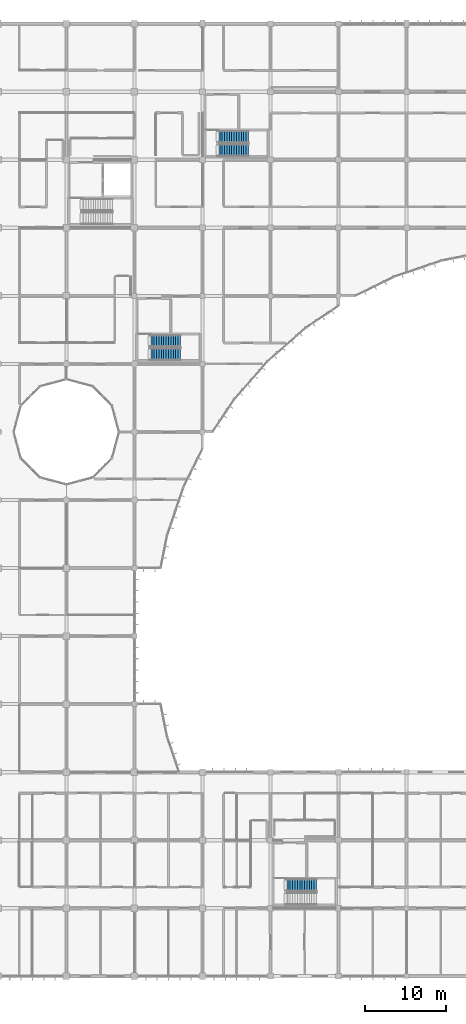
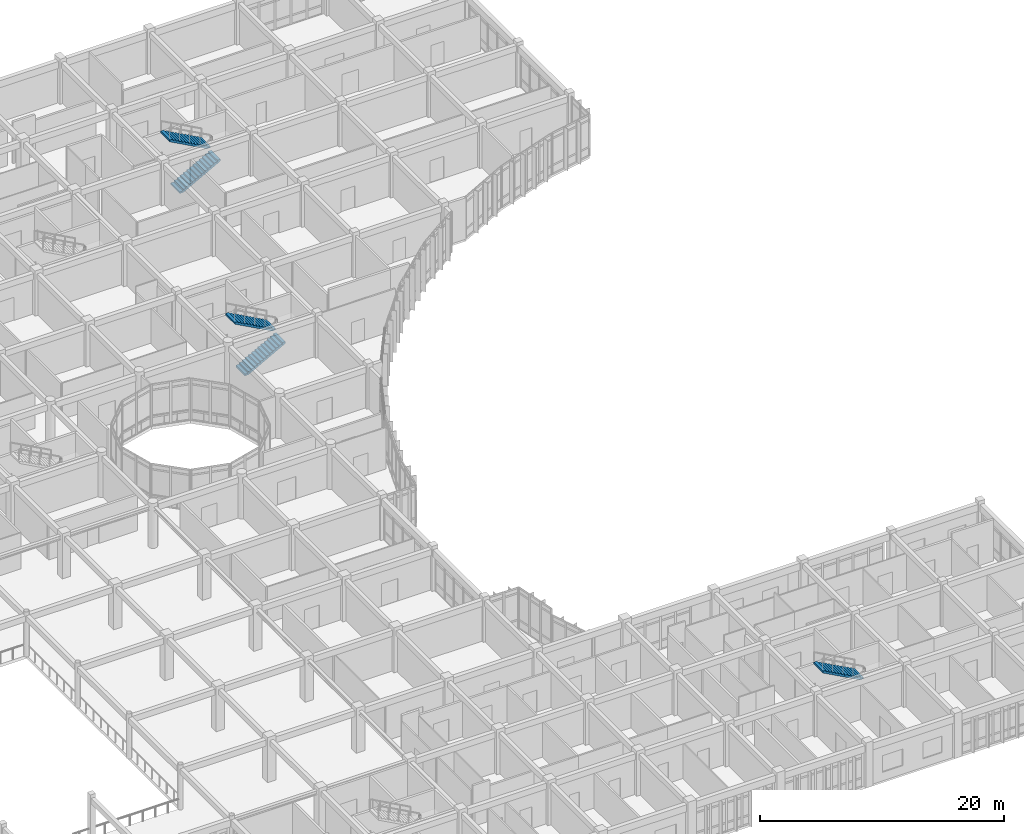
# One storey, part 123 of 144: 5 stair flights, 3 elements without a shape of their own.
"""IFC4 building model written with IfcOpenShell, lengths in metres."""

from ifc_helpers import new_model, si_unit, direction, frame, origin, place, context, subcontext, project, spatial, polyline, outline, extrude, material, type_object, element, aggregate, save


model = new_model("IFC4")

# Units and contexts
model_context = context("Model", 3, precision=1e-05, world=origin(), true_north=direction((0.0, 1.0)))
body_context = subcontext(model_context, "Body", "Model", "MODEL_VIEW")
ifc_project = project(units=[si_unit("LENGTHUNIT", "METRE"), si_unit("AREAUNIT", "SQUARE_METRE"), si_unit("VOLUMEUNIT", "CUBIC_METRE"), si_unit("PLANEANGLEUNIT", "RADIAN"), si_unit("MASSUNIT", "GRAM", prefix="KILO")], contexts=[model_context])

# Site, building, storey
site_placement = place(None, origin())
site = spatial("IfcSite", under=ifc_project, at=site_placement, CompositionType="ELEMENT")
building_placement = place(site_placement, origin())
building = spatial("IfcBuilding", under=site, at=building_placement, Name="Bramfleet General Hospital", CompositionType="ELEMENT")
storey_placement = place(building_placement, frame((0.0, 0.0, 4.800048828125)))
storey = spatial("IfcBuildingStorey", under=building, at=storey_placement, Name="L01", CompositionType="ELEMENT", Elevation=4.800048828125)

# Stair, stair flights
ifc_material = material(Name="Concrete C35/45", Category="concrete")
stair_type = type_object("IfcStairType", Name="STR-T2", PredefinedType="HALF_TURN_STAIR", material=ifc_material)
stair_1_placement = place(storey_placement, origin())
stair_1 = element("IfcStair", 1, at=stair_1_placement, inside=storey, type_object=stair_type, Name="L01 Core C9 (North-East Ward & Diagnostic Escape) Protected Escape Stair", PredefinedType="HALF_TURN_STAIR")
stair_flight_type = type_object("IfcStairFlightType", Name="STF-T2", PredefinedType="STRAIGHT", material=ifc_material)
stair_flight_1_placement = place(storey_placement, frame((136.239990234375, 101.969970703125, 0.0), z_axis=(0.0, 0.0, 1.0), x_axis=(1.0, 0.0, 0.0)))
stair_flight_1 = element("IfcStairFlight", 2, at=stair_flight_1_placement, type_object=stair_flight_type, Name="ST-C9 flight 1", NumberOfRisers=14, NumberOfTreads=13, PredefinedType="STRAIGHT", RiserHeight=0.160714286, TreadLength=0.295, context=body_context, shape_type="SweptSolid", body=[
    extrude(outline(polyline([(0.0, 0.0), (0.0, 0.16064453125), (0.294921875, 0.16064453125), (0.294921875, 0.321533203125), (0.590087890625, 0.321533203125), (0.590087890625, 0.482177734375), (0.885009765625, 0.482177734375), (0.885009765625, 0.642822265625), (1.179931640625, 0.642822265625), (1.179931640625, 0.803466796875), (1.47509765625, 0.803466796875), (1.47509765625, 0.96435546875), (1.77001953125, 0.96435546875), (1.77001953125, 1.125), (2.06494140625, 1.125), (2.06494140625, 1.28564453125), (2.360107421875, 1.28564453125), (2.360107421875, 1.446533203125), (2.655029296875, 1.446533203125), (2.655029296875, 1.607177734375), (2.949951171875, 1.607177734375), (2.949951171875, 1.767822265625), (3.2451171875, 1.767822265625), (3.2451171875, 1.928466796875), (3.5400390625, 1.928466796875), (3.5400390625, 2.08935546875), (3.8349609375, 2.08935546875), (3.8349609375, 2.25), (3.8349609375, 1.9072265625), (0.334228515625, 0.0), (0.0, 0.0)])), frame((0.0, 0.75, 0.0), z_axis=(0.0, -1.0, 0.0), x_axis=(1.0, 0.0, 0.0)), (0.0, 0.0, 1.0), 1.5),
])
stair_flight_2_placement = place(storey_placement, frame((140.074951171875, 103.6298828125, 2.25), z_axis=(0.0, 0.0, 1.0), x_axis=(-1.0, 0.0, 0.0)))
stair_flight_2 = element("IfcStairFlight", 3, at=stair_flight_2_placement, type_object=stair_flight_type, Name="ST-C9 flight 2", NumberOfRisers=14, NumberOfTreads=13, PredefinedType="STRAIGHT", RiserHeight=0.160714286, TreadLength=0.295, context=body_context, shape_type="SweptSolid", body=[
    extrude(outline(polyline([(0.0, 0.0), (0.0, 0.16064453125), (0.294921875, 0.16064453125), (0.294921875, 0.321533203125), (0.590087890625, 0.321533203125), (0.590087890625, 0.482177734375), (0.885009765625, 0.482177734375), (0.885009765625, 0.642822265625), (1.179931640625, 0.642822265625), (1.179931640625, 0.803466796875), (1.47509765625, 0.803466796875), (1.47509765625, 0.96435546875), (1.77001953125, 0.96435546875), (1.77001953125, 1.125), (2.06494140625, 1.125), (2.06494140625, 1.28564453125), (2.360107421875, 1.28564453125), (2.360107421875, 1.446533203125), (2.655029296875, 1.446533203125), (2.655029296875, 1.607177734375), (2.949951171875, 1.607177734375), (2.949951171875, 1.767822265625), (3.2451171875, 1.767822265625), (3.2451171875, 1.928466796875), (3.5400390625, 1.928466796875), (3.5400390625, 2.08935546875), (3.8349609375, 2.08935546875), (3.8349609375, 2.25), (3.8349609375, 1.9072265625), (0.334228515625, 0.0), (0.0, 0.0)])), frame((0.0, 0.75, 0.0), z_axis=(0.0, -1.0, 0.0), x_axis=(1.0, 0.0, 0.0)), (0.0, 0.0, 1.0), 1.5),
])
aggregate(stair_1, [stair_flight_1, stair_flight_2])

# Stair, stair flight
stair_2_placement = place(storey_placement, origin())
stair_2 = element("IfcStair", 4, at=stair_2_placement, inside=storey, type_object=stair_type, Name="L01 Core C10 (South-East Clinic & Ward Escape) Protected Escape Stair", PredefinedType="HALF_TURN_STAIR")
stair_flight_3_placement = place(storey_placement, frame((148.47509765625, 11.22998046875, 2.25), z_axis=(0.0, 0.0, 1.0), x_axis=(-1.0, 0.0, 0.0)))
stair_flight_3 = element("IfcStairFlight", 5, at=stair_flight_3_placement, type_object=stair_flight_type, Name="ST-C10 flight 2", NumberOfRisers=14, NumberOfTreads=13, PredefinedType="STRAIGHT", RiserHeight=0.160714286, TreadLength=0.295, context=body_context, shape_type="SweptSolid", body=[
    extrude(outline(polyline([(0.0, 0.0), (0.0, 0.16064453125), (0.294921875, 0.16064453125), (0.294921875, 0.321533203125), (0.590087890625, 0.321533203125), (0.590087890625, 0.482177734375), (0.885009765625, 0.482177734375), (0.885009765625, 0.642822265625), (1.179931640625, 0.642822265625), (1.179931640625, 0.803466796875), (1.47509765625, 0.803466796875), (1.47509765625, 0.96435546875), (1.77001953125, 0.96435546875), (1.77001953125, 1.125), (2.06494140625, 1.125), (2.06494140625, 1.28564453125), (2.360107421875, 1.28564453125), (2.360107421875, 1.446533203125), (2.655029296875, 1.446533203125), (2.655029296875, 1.607177734375), (2.949951171875, 1.607177734375), (2.949951171875, 1.767822265625), (3.2451171875, 1.767822265625), (3.2451171875, 1.928466796875), (3.5400390625, 1.928466796875), (3.5400390625, 2.08935546875), (3.8349609375, 2.08935546875), (3.8349609375, 2.25), (3.8349609375, 1.9072265625), (0.334228515625, 0.0), (0.0, 0.0)])), frame((0.0, 0.75, 0.0), z_axis=(0.0, -1.0, 0.0), x_axis=(1.0, 0.0, 0.0)), (0.0, 0.0, 1.0), 1.5),
])
aggregate(stair_2, [stair_flight_3])

# Stair, stair flights
stair_3_placement = place(storey_placement, origin())
stair_3 = element("IfcStair", 6, at=stair_3_placement, inside=storey, type_object=stair_type, Name="L01 Core C12 (East Diagnostic Base Escape) Protected Escape Stair", PredefinedType="HALF_TURN_STAIR")
stair_flight_4_placement = place(storey_placement, frame((127.840087890625, 76.77001953125, 0.0), z_axis=(0.0, 0.0, 1.0), x_axis=(1.0, 0.0, 0.0)))
stair_flight_4 = element("IfcStairFlight", 7, at=stair_flight_4_placement, type_object=stair_flight_type, Name="ST-C12 flight 1", NumberOfRisers=14, NumberOfTreads=13, PredefinedType="STRAIGHT", RiserHeight=0.160714286, TreadLength=0.295, context=body_context, shape_type="SweptSolid", body=[
    extrude(outline(polyline([(0.0, 0.0), (0.0, 0.16064453125), (0.294921875, 0.16064453125), (0.294921875, 0.321533203125), (0.590087890625, 0.321533203125), (0.590087890625, 0.482177734375), (0.885009765625, 0.482177734375), (0.885009765625, 0.642822265625), (1.179931640625, 0.642822265625), (1.179931640625, 0.803466796875), (1.47509765625, 0.803466796875), (1.47509765625, 0.96435546875), (1.77001953125, 0.96435546875), (1.77001953125, 1.125), (2.06494140625, 1.125), (2.06494140625, 1.28564453125), (2.360107421875, 1.28564453125), (2.360107421875, 1.446533203125), (2.655029296875, 1.446533203125), (2.655029296875, 1.607177734375), (2.949951171875, 1.607177734375), (2.949951171875, 1.767822265625), (3.2451171875, 1.767822265625), (3.2451171875, 1.928466796875), (3.5400390625, 1.928466796875), (3.5400390625, 2.08935546875), (3.8349609375, 2.08935546875), (3.8349609375, 2.25), (3.8349609375, 1.9072265625), (0.334228515625, 0.0), (0.0, 0.0)])), frame((0.0, 0.75, 0.0), z_axis=(0.0, -1.0, 0.0), x_axis=(1.0, 0.0, 0.0)), (0.0, 0.0, 1.0), 1.5),
])
stair_flight_5_placement = place(storey_placement, frame((131.675048828125, 78.429931640625, 2.25), z_axis=(0.0, 0.0, 1.0), x_axis=(-1.0, 0.0, 0.0)))
stair_flight_5 = element("IfcStairFlight", 8, at=stair_flight_5_placement, type_object=stair_flight_type, Name="ST-C12 flight 2", NumberOfRisers=14, NumberOfTreads=13, PredefinedType="STRAIGHT", RiserHeight=0.160714286, TreadLength=0.295, context=body_context, shape_type="SweptSolid", body=[
    extrude(outline(polyline([(0.0, 0.0), (0.0, 0.16064453125), (0.294921875, 0.16064453125), (0.294921875, 0.321533203125), (0.590087890625, 0.321533203125), (0.590087890625, 0.482177734375), (0.885009765625, 0.482177734375), (0.885009765625, 0.642822265625), (1.179931640625, 0.642822265625), (1.179931640625, 0.803466796875), (1.47509765625, 0.803466796875), (1.47509765625, 0.96435546875), (1.77001953125, 0.96435546875), (1.77001953125, 1.125), (2.06494140625, 1.125), (2.06494140625, 1.28564453125), (2.360107421875, 1.28564453125), (2.360107421875, 1.446533203125), (2.655029296875, 1.446533203125), (2.655029296875, 1.607177734375), (2.949951171875, 1.607177734375), (2.949951171875, 1.767822265625), (3.2451171875, 1.767822265625), (3.2451171875, 1.928466796875), (3.5400390625, 1.928466796875), (3.5400390625, 2.08935546875), (3.8349609375, 2.08935546875), (3.8349609375, 2.25), (3.8349609375, 1.9072265625), (0.334228515625, 0.0), (0.0, 0.0)])), frame((0.0, 0.75, 0.0), z_axis=(0.0, -1.0, 0.0), x_axis=(1.0, 0.0, 0.0)), (0.0, 0.0, 1.0), 1.5),
])
aggregate(stair_3, [stair_flight_4, stair_flight_5])

save(model, "model.ifc")
